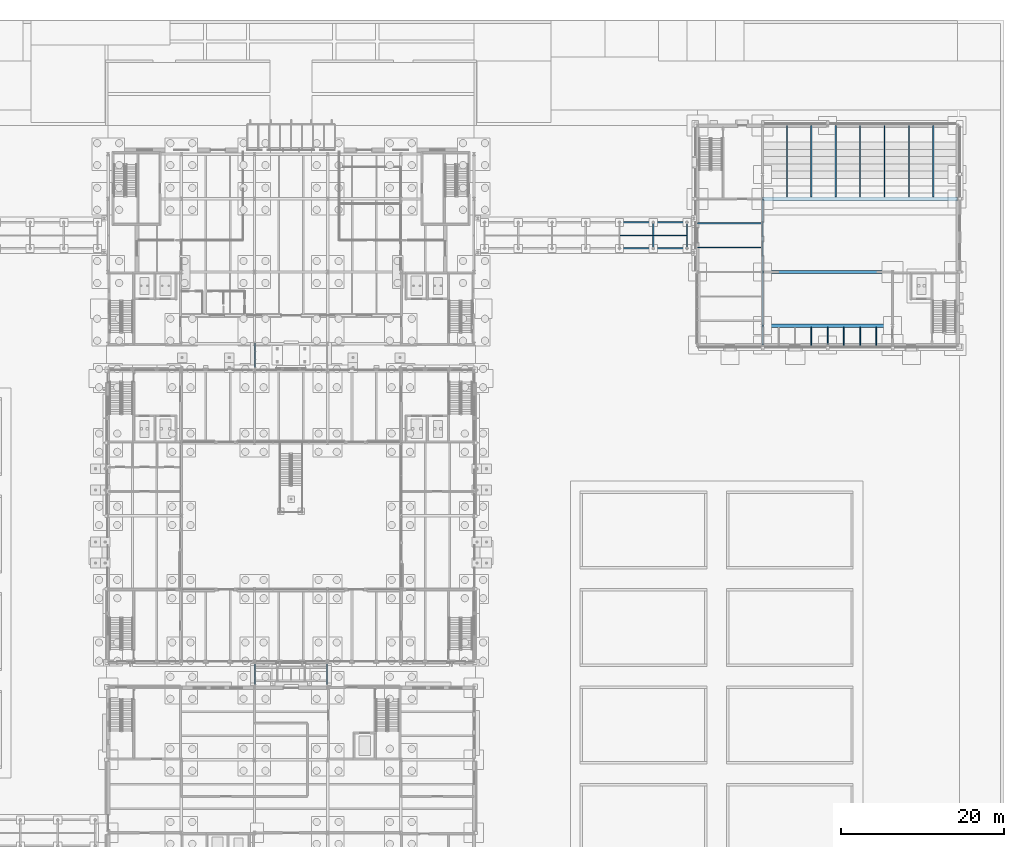
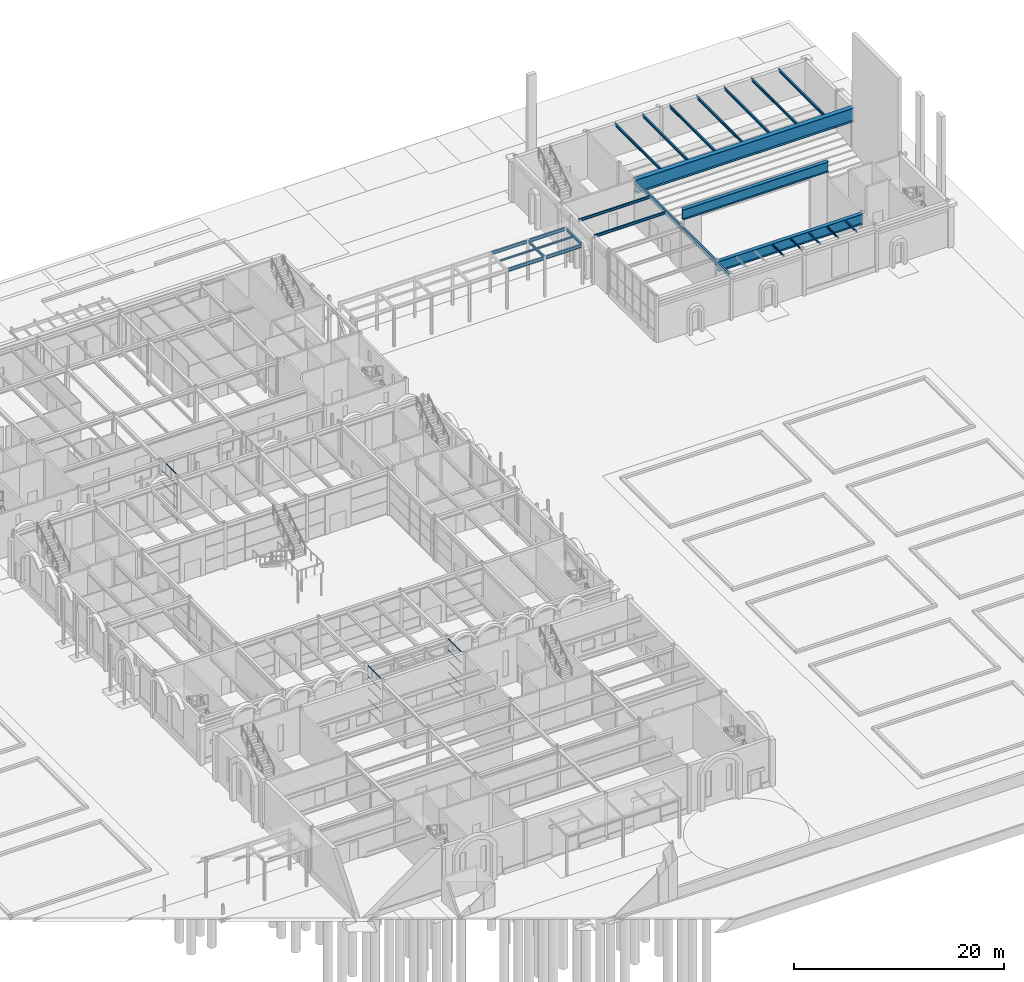
# One storey, part 56 of 126: 44 members, 27 beams, 3 elements without a shape of their own.
"""IFC4 building model written with IfcOpenShell, lengths in metres."""

from ifc_helpers import new_model, si_unit, direction, frame, origin, origin_2d, place, context, subcontext, project, spatial, hollow_rectangle, i_section, extrude, material, material_profile, profile_set, type_object, element, aggregate, save


model = new_model("IFC4")

# Units and contexts
model_context = context("Model", 3, precision=1e-05, world=origin(), true_north=direction((0.0, 1.0)))
body_context = subcontext(model_context, "Body", "Model", "MODEL_VIEW")
ifc_project = project(units=[si_unit("LENGTHUNIT", "METRE"), si_unit("AREAUNIT", "SQUARE_METRE"), si_unit("VOLUMEUNIT", "CUBIC_METRE"), si_unit("PLANEANGLEUNIT", "RADIAN"), si_unit("MASSUNIT", "GRAM", prefix="KILO")], contexts=[model_context])

# Site, building, storey
site_placement = place(None, origin())
site = spatial("IfcSite", under=ifc_project, at=site_placement, CompositionType="ELEMENT")
building_placement = place(site_placement, origin())
building = spatial("IfcBuilding", under=site, at=building_placement, Name="Kallimachos Central Library", CompositionType="ELEMENT")
storey_placement = place(building_placement, origin())
storey = spatial("IfcBuildingStorey", under=building, at=storey_placement, Name="L00", CompositionType="ELEMENT", Elevation=0.0)

# Curtain wall, members
ifc_material_1 = material(Name="Aluminium and laminated glass", Category="aluminium")
curtain_wall_type = type_object("IfcCurtainWallType", Name="Link glazed wall", PredefinedType="NOTDEFINED", material=ifc_material_1)
curtain_wall_1_placement = place(storey_placement, origin())
curtain_wall_1 = element("IfcCurtainWall", 1, at=curtain_wall_1_placement, inside=storey, type_object=curtain_wall_type, Name="Stacks Link glazed wall L00", PredefinedType="NOTDEFINED")
ifc_material_2 = material(Name="Anodised aluminium", Category="aluminium")
ifc_material_profile_1 = material_profile(ifc_material_2, hollow_rectangle(XDim=0.06005859375, YDim=0.080078125, WallThickness=0.00390625, at=origin_2d()), Name="ALU TRANSOM 60x80")
ifc_profile_set_1 = profile_set([ifc_material_profile_1], Name="Anodised aluminium")
member_type = type_object("IfcMemberType", Name="ALU TRANSOM 60x80 transom", PredefinedType="USERDEFINED", material=ifc_profile_set_1)
member_1_placement = place(storey_placement, frame((83.580078125, 45.260009765625, 0.030029296875), z_axis=(0.0, 1.0, 0.0), x_axis=(0.0, 0.0, 1.0)))
member_1 = element("IfcMember", 2, at=member_1_placement, type_object=member_type, Name="CW58 transom 1.1", ObjectType="TRANSOM", PredefinedType="USERDEFINED", context=body_context, shape_type="SweptSolid", body=[
    extrude(hollow_rectangle(XDim=0.06005859375, YDim=0.080078125, WallThickness=0.00390625, at=origin_2d()), origin(), (0.0, 0.0, 1.0), 0.776611328125),
])
member_2_placement = place(storey_placement, frame((83.580078125, 45.260009765625, 1.3125), z_axis=(0.0, 1.0, 0.0), x_axis=(0.0, 0.0, 1.0)))
member_2 = element("IfcMember", 3, at=member_2_placement, type_object=member_type, Name="CW58 transom 1.2", ObjectType="TRANSOM", PredefinedType="USERDEFINED", context=body_context, shape_type="SweptSolid", body=[
    extrude(hollow_rectangle(XDim=0.06005859375, YDim=0.080078125, WallThickness=0.00390625, at=origin_2d()), origin(), (0.0, 0.0, 1.0), 0.776611328125),
])
member_3_placement = place(storey_placement, frame((83.580078125, 45.260009765625, 2.625), z_axis=(0.0, 1.0, 0.0), x_axis=(0.0, 0.0, 1.0)))
member_3 = element("IfcMember", 4, at=member_3_placement, type_object=member_type, Name="CW58 transom 1.3", ObjectType="TRANSOM", PredefinedType="USERDEFINED", context=body_context, shape_type="SweptSolid", body=[
    extrude(hollow_rectangle(XDim=0.06005859375, YDim=0.080078125, WallThickness=0.00390625, at=origin_2d()), origin(), (0.0, 0.0, 1.0), 0.776611328125),
])
member_4_placement = place(storey_placement, frame((83.580078125, 45.260009765625, 3.9375), z_axis=(0.0, 1.0, 0.0), x_axis=(0.0, 0.0, 1.0)))
member_4 = element("IfcMember", 5, at=member_4_placement, type_object=member_type, Name="CW58 transom 1.4", ObjectType="TRANSOM", PredefinedType="USERDEFINED", context=body_context, shape_type="SweptSolid", body=[
    extrude(hollow_rectangle(XDim=0.06005859375, YDim=0.080078125, WallThickness=0.00390625, at=origin_2d()), origin(), (0.0, 0.0, 1.0), 0.776611328125),
])
member_5_placement = place(storey_placement, frame((83.580078125, 45.260009765625, 5.219970703125), z_axis=(0.0, 1.0, 0.0), x_axis=(0.0, 0.0, 1.0)))
member_5 = element("IfcMember", 6, at=member_5_placement, type_object=member_type, Name="CW58 transom 1.5", ObjectType="TRANSOM", PredefinedType="USERDEFINED", context=body_context, shape_type="SweptSolid", body=[
    extrude(hollow_rectangle(XDim=0.06005859375, YDim=0.080078125, WallThickness=0.00390625, at=origin_2d()), origin(), (0.0, 0.0, 1.0), 0.776611328125),
])
member_6_placement = place(storey_placement, frame((83.580078125, 46.0966796875, 0.030029296875), z_axis=(0.0, 1.0, 0.0), x_axis=(0.0, 0.0, 1.0)))
member_6 = element("IfcMember", 7, at=member_6_placement, type_object=member_type, Name="CW58 transom 2.1", ObjectType="TRANSOM", PredefinedType="USERDEFINED", context=body_context, shape_type="SweptSolid", body=[
    extrude(hollow_rectangle(XDim=0.06005859375, YDim=0.080078125, WallThickness=0.00390625, at=origin_2d()), origin(), (0.0, 0.0, 1.0), 0.806640625),
])
member_7_placement = place(storey_placement, frame((83.580078125, 46.0966796875, 1.3125), z_axis=(0.0, 1.0, 0.0), x_axis=(0.0, 0.0, 1.0)))
member_7 = element("IfcMember", 8, at=member_7_placement, type_object=member_type, Name="CW58 transom 2.2", ObjectType="TRANSOM", PredefinedType="USERDEFINED", context=body_context, shape_type="SweptSolid", body=[
    extrude(hollow_rectangle(XDim=0.06005859375, YDim=0.080078125, WallThickness=0.00390625, at=origin_2d()), origin(), (0.0, 0.0, 1.0), 0.806640625),
])
member_8_placement = place(storey_placement, frame((83.580078125, 46.0966796875, 2.625), z_axis=(0.0, 1.0, 0.0), x_axis=(0.0, 0.0, 1.0)))
member_8 = element("IfcMember", 9, at=member_8_placement, type_object=member_type, Name="CW58 transom 2.3", ObjectType="TRANSOM", PredefinedType="USERDEFINED", context=body_context, shape_type="SweptSolid", body=[
    extrude(hollow_rectangle(XDim=0.06005859375, YDim=0.080078125, WallThickness=0.00390625, at=origin_2d()), origin(), (0.0, 0.0, 1.0), 0.806640625),
])
member_9_placement = place(storey_placement, frame((83.580078125, 46.0966796875, 3.9375), z_axis=(0.0, 1.0, 0.0), x_axis=(0.0, 0.0, 1.0)))
member_9 = element("IfcMember", 10, at=member_9_placement, type_object=member_type, Name="CW58 transom 2.4", ObjectType="TRANSOM", PredefinedType="USERDEFINED", context=body_context, shape_type="SweptSolid", body=[
    extrude(hollow_rectangle(XDim=0.06005859375, YDim=0.080078125, WallThickness=0.00390625, at=origin_2d()), origin(), (0.0, 0.0, 1.0), 0.806640625),
])
member_10_placement = place(storey_placement, frame((83.580078125, 46.0966796875, 5.219970703125), z_axis=(0.0, 1.0, 0.0), x_axis=(0.0, 0.0, 1.0)))
member_10 = element("IfcMember", 11, at=member_10_placement, type_object=member_type, Name="CW58 transom 2.5", ObjectType="TRANSOM", PredefinedType="USERDEFINED", context=body_context, shape_type="SweptSolid", body=[
    extrude(hollow_rectangle(XDim=0.06005859375, YDim=0.080078125, WallThickness=0.00390625, at=origin_2d()), origin(), (0.0, 0.0, 1.0), 0.806640625),
])
member_11_placement = place(storey_placement, frame((83.580078125, 46.96337890625, 0.030029296875), z_axis=(0.0, 1.0, 0.0), x_axis=(0.0, 0.0, 1.0)))
member_11 = element("IfcMember", 12, at=member_11_placement, type_object=member_type, Name="CW58 transom 3.1", ObjectType="TRANSOM", PredefinedType="USERDEFINED", context=body_context, shape_type="SweptSolid", body=[
    extrude(hollow_rectangle(XDim=0.06005859375, YDim=0.080078125, WallThickness=0.00390625, at=origin_2d()), origin(), (0.0, 0.0, 1.0), 0.776611328125),
])
member_12_placement = place(storey_placement, frame((83.580078125, 46.96337890625, 1.3125), z_axis=(0.0, 1.0, 0.0), x_axis=(0.0, 0.0, 1.0)))
member_12 = element("IfcMember", 13, at=member_12_placement, type_object=member_type, Name="CW58 transom 3.2", ObjectType="TRANSOM", PredefinedType="USERDEFINED", context=body_context, shape_type="SweptSolid", body=[
    extrude(hollow_rectangle(XDim=0.06005859375, YDim=0.080078125, WallThickness=0.00390625, at=origin_2d()), origin(), (0.0, 0.0, 1.0), 0.776611328125),
])
member_13_placement = place(storey_placement, frame((83.580078125, 46.96337890625, 2.625), z_axis=(0.0, 1.0, 0.0), x_axis=(0.0, 0.0, 1.0)))
member_13 = element("IfcMember", 14, at=member_13_placement, type_object=member_type, Name="CW58 transom 3.3", ObjectType="TRANSOM", PredefinedType="USERDEFINED", context=body_context, shape_type="SweptSolid", body=[
    extrude(hollow_rectangle(XDim=0.06005859375, YDim=0.080078125, WallThickness=0.00390625, at=origin_2d()), origin(), (0.0, 0.0, 1.0), 0.776611328125),
])
member_14_placement = place(storey_placement, frame((83.580078125, 46.96337890625, 3.9375), z_axis=(0.0, 1.0, 0.0), x_axis=(0.0, 0.0, 1.0)))
member_14 = element("IfcMember", 15, at=member_14_placement, type_object=member_type, Name="CW58 transom 3.4", ObjectType="TRANSOM", PredefinedType="USERDEFINED", context=body_context, shape_type="SweptSolid", body=[
    extrude(hollow_rectangle(XDim=0.06005859375, YDim=0.080078125, WallThickness=0.00390625, at=origin_2d()), origin(), (0.0, 0.0, 1.0), 0.776611328125),
])
member_15_placement = place(storey_placement, frame((83.580078125, 46.96337890625, 5.219970703125), z_axis=(0.0, 1.0, 0.0), x_axis=(0.0, 0.0, 1.0)))
member_15 = element("IfcMember", 16, at=member_15_placement, type_object=member_type, Name="CW58 transom 3.5", ObjectType="TRANSOM", PredefinedType="USERDEFINED", context=body_context, shape_type="SweptSolid", body=[
    extrude(hollow_rectangle(XDim=0.06005859375, YDim=0.080078125, WallThickness=0.00390625, at=origin_2d()), origin(), (0.0, 0.0, 1.0), 0.776611328125),
])
aggregate(curtain_wall_1, [member_1, member_2, member_3, member_4, member_5, member_6, member_7, member_8, member_9, member_10, member_11, member_12, member_13, member_14, member_15])

curtain_wall_2_placement = place(storey_placement, origin())
curtain_wall_2 = element("IfcCurtainWall", 17, at=curtain_wall_2_placement, inside=storey, type_object=curtain_wall_type, Name="Stacks Link glazed wall L00", PredefinedType="NOTDEFINED")
member_16_placement = place(storey_placement, frame((92.419921875, 45.260009765625, 0.030029296875), z_axis=(0.0, 1.0, 0.0), x_axis=(0.0, 0.0, 1.0)))
member_16 = element("IfcMember", 18, at=member_16_placement, type_object=member_type, Name="CW59 transom 1.1", ObjectType="TRANSOM", PredefinedType="USERDEFINED", context=body_context, shape_type="SweptSolid", body=[
    extrude(hollow_rectangle(XDim=0.06005859375, YDim=0.080078125, WallThickness=0.00390625, at=origin_2d()), origin(), (0.0, 0.0, 1.0), 0.776611328125),
])
member_17_placement = place(storey_placement, frame((92.419921875, 45.260009765625, 1.3125), z_axis=(0.0, 1.0, 0.0), x_axis=(0.0, 0.0, 1.0)))
member_17 = element("IfcMember", 19, at=member_17_placement, type_object=member_type, Name="CW59 transom 1.2", ObjectType="TRANSOM", PredefinedType="USERDEFINED", context=body_context, shape_type="SweptSolid", body=[
    extrude(hollow_rectangle(XDim=0.06005859375, YDim=0.080078125, WallThickness=0.00390625, at=origin_2d()), origin(), (0.0, 0.0, 1.0), 0.776611328125),
])
member_18_placement = place(storey_placement, frame((92.419921875, 45.260009765625, 2.625), z_axis=(0.0, 1.0, 0.0), x_axis=(0.0, 0.0, 1.0)))
member_18 = element("IfcMember", 20, at=member_18_placement, type_object=member_type, Name="CW59 transom 1.3", ObjectType="TRANSOM", PredefinedType="USERDEFINED", context=body_context, shape_type="SweptSolid", body=[
    extrude(hollow_rectangle(XDim=0.06005859375, YDim=0.080078125, WallThickness=0.00390625, at=origin_2d()), origin(), (0.0, 0.0, 1.0), 0.776611328125),
])
member_19_placement = place(storey_placement, frame((92.419921875, 45.260009765625, 3.9375), z_axis=(0.0, 1.0, 0.0), x_axis=(0.0, 0.0, 1.0)))
member_19 = element("IfcMember", 21, at=member_19_placement, type_object=member_type, Name="CW59 transom 1.4", ObjectType="TRANSOM", PredefinedType="USERDEFINED", context=body_context, shape_type="SweptSolid", body=[
    extrude(hollow_rectangle(XDim=0.06005859375, YDim=0.080078125, WallThickness=0.00390625, at=origin_2d()), origin(), (0.0, 0.0, 1.0), 0.776611328125),
])
member_20_placement = place(storey_placement, frame((92.419921875, 45.260009765625, 5.219970703125), z_axis=(0.0, 1.0, 0.0), x_axis=(0.0, 0.0, 1.0)))
member_20 = element("IfcMember", 22, at=member_20_placement, type_object=member_type, Name="CW59 transom 1.5", ObjectType="TRANSOM", PredefinedType="USERDEFINED", context=body_context, shape_type="SweptSolid", body=[
    extrude(hollow_rectangle(XDim=0.06005859375, YDim=0.080078125, WallThickness=0.00390625, at=origin_2d()), origin(), (0.0, 0.0, 1.0), 0.776611328125),
])
member_21_placement = place(storey_placement, frame((92.419921875, 46.0966796875, 0.030029296875), z_axis=(0.0, 1.0, 0.0), x_axis=(0.0, 0.0, 1.0)))
member_21 = element("IfcMember", 23, at=member_21_placement, type_object=member_type, Name="CW59 transom 2.1", ObjectType="TRANSOM", PredefinedType="USERDEFINED", context=body_context, shape_type="SweptSolid", body=[
    extrude(hollow_rectangle(XDim=0.06005859375, YDim=0.080078125, WallThickness=0.00390625, at=origin_2d()), origin(), (0.0, 0.0, 1.0), 0.806640625),
])
member_22_placement = place(storey_placement, frame((92.419921875, 46.0966796875, 1.3125), z_axis=(0.0, 1.0, 0.0), x_axis=(0.0, 0.0, 1.0)))
member_22 = element("IfcMember", 24, at=member_22_placement, type_object=member_type, Name="CW59 transom 2.2", ObjectType="TRANSOM", PredefinedType="USERDEFINED", context=body_context, shape_type="SweptSolid", body=[
    extrude(hollow_rectangle(XDim=0.06005859375, YDim=0.080078125, WallThickness=0.00390625, at=origin_2d()), origin(), (0.0, 0.0, 1.0), 0.806640625),
])
member_23_placement = place(storey_placement, frame((92.419921875, 46.0966796875, 2.625), z_axis=(0.0, 1.0, 0.0), x_axis=(0.0, 0.0, 1.0)))
member_23 = element("IfcMember", 25, at=member_23_placement, type_object=member_type, Name="CW59 transom 2.3", ObjectType="TRANSOM", PredefinedType="USERDEFINED", context=body_context, shape_type="SweptSolid", body=[
    extrude(hollow_rectangle(XDim=0.06005859375, YDim=0.080078125, WallThickness=0.00390625, at=origin_2d()), origin(), (0.0, 0.0, 1.0), 0.806640625),
])
member_24_placement = place(storey_placement, frame((92.419921875, 46.0966796875, 3.9375), z_axis=(0.0, 1.0, 0.0), x_axis=(0.0, 0.0, 1.0)))
member_24 = element("IfcMember", 26, at=member_24_placement, type_object=member_type, Name="CW59 transom 2.4", ObjectType="TRANSOM", PredefinedType="USERDEFINED", context=body_context, shape_type="SweptSolid", body=[
    extrude(hollow_rectangle(XDim=0.06005859375, YDim=0.080078125, WallThickness=0.00390625, at=origin_2d()), origin(), (0.0, 0.0, 1.0), 0.806640625),
])
member_25_placement = place(storey_placement, frame((92.419921875, 46.0966796875, 5.219970703125), z_axis=(0.0, 1.0, 0.0), x_axis=(0.0, 0.0, 1.0)))
member_25 = element("IfcMember", 27, at=member_25_placement, type_object=member_type, Name="CW59 transom 2.5", ObjectType="TRANSOM", PredefinedType="USERDEFINED", context=body_context, shape_type="SweptSolid", body=[
    extrude(hollow_rectangle(XDim=0.06005859375, YDim=0.080078125, WallThickness=0.00390625, at=origin_2d()), origin(), (0.0, 0.0, 1.0), 0.806640625),
])
member_26_placement = place(storey_placement, frame((92.419921875, 46.96337890625, 0.030029296875), z_axis=(0.0, 1.0, 0.0), x_axis=(0.0, 0.0, 1.0)))
member_26 = element("IfcMember", 28, at=member_26_placement, type_object=member_type, Name="CW59 transom 3.1", ObjectType="TRANSOM", PredefinedType="USERDEFINED", context=body_context, shape_type="SweptSolid", body=[
    extrude(hollow_rectangle(XDim=0.06005859375, YDim=0.080078125, WallThickness=0.00390625, at=origin_2d()), origin(), (0.0, 0.0, 1.0), 0.776611328125),
])
member_27_placement = place(storey_placement, frame((92.419921875, 46.96337890625, 1.3125), z_axis=(0.0, 1.0, 0.0), x_axis=(0.0, 0.0, 1.0)))
member_27 = element("IfcMember", 29, at=member_27_placement, type_object=member_type, Name="CW59 transom 3.2", ObjectType="TRANSOM", PredefinedType="USERDEFINED", context=body_context, shape_type="SweptSolid", body=[
    extrude(hollow_rectangle(XDim=0.06005859375, YDim=0.080078125, WallThickness=0.00390625, at=origin_2d()), origin(), (0.0, 0.0, 1.0), 0.776611328125),
])
member_28_placement = place(storey_placement, frame((92.419921875, 46.96337890625, 2.625), z_axis=(0.0, 1.0, 0.0), x_axis=(0.0, 0.0, 1.0)))
member_28 = element("IfcMember", 30, at=member_28_placement, type_object=member_type, Name="CW59 transom 3.3", ObjectType="TRANSOM", PredefinedType="USERDEFINED", context=body_context, shape_type="SweptSolid", body=[
    extrude(hollow_rectangle(XDim=0.06005859375, YDim=0.080078125, WallThickness=0.00390625, at=origin_2d()), origin(), (0.0, 0.0, 1.0), 0.776611328125),
])
member_29_placement = place(storey_placement, frame((92.419921875, 46.96337890625, 3.9375), z_axis=(0.0, 1.0, 0.0), x_axis=(0.0, 0.0, 1.0)))
member_29 = element("IfcMember", 31, at=member_29_placement, type_object=member_type, Name="CW59 transom 3.4", ObjectType="TRANSOM", PredefinedType="USERDEFINED", context=body_context, shape_type="SweptSolid", body=[
    extrude(hollow_rectangle(XDim=0.06005859375, YDim=0.080078125, WallThickness=0.00390625, at=origin_2d()), origin(), (0.0, 0.0, 1.0), 0.776611328125),
])
member_30_placement = place(storey_placement, frame((92.419921875, 46.96337890625, 5.219970703125), z_axis=(0.0, 1.0, 0.0), x_axis=(0.0, 0.0, 1.0)))
member_30 = element("IfcMember", 32, at=member_30_placement, type_object=member_type, Name="CW59 transom 3.5", ObjectType="TRANSOM", PredefinedType="USERDEFINED", context=body_context, shape_type="SweptSolid", body=[
    extrude(hollow_rectangle(XDim=0.06005859375, YDim=0.080078125, WallThickness=0.00390625, at=origin_2d()), origin(), (0.0, 0.0, 1.0), 0.776611328125),
])
aggregate(curtain_wall_2, [member_16, member_17, member_18, member_19, member_20, member_21, member_22, member_23, member_24, member_25, member_26, member_27, member_28, member_29, member_30])

curtain_wall_3_placement = place(storey_placement, origin())
curtain_wall_3 = element("IfcCurtainWall", 33, at=curtain_wall_3_placement, inside=storey, type_object=curtain_wall_type, Name="Reading Link glazed wall L00", PredefinedType="NOTDEFINED")
member_31_placement = place(storey_placement, frame((83.580078125, 84.260009765625, 0.030029296875), z_axis=(0.0, 1.0, 0.0), x_axis=(0.0, 0.0, 1.0)))
member_31 = element("IfcMember", 34, at=member_31_placement, type_object=member_type, Name="CW62 transom 1.1", ObjectType="TRANSOM", PredefinedType="USERDEFINED", context=body_context, shape_type="SweptSolid", body=[
    extrude(hollow_rectangle(XDim=0.06005859375, YDim=0.080078125, WallThickness=0.00390625, at=origin_2d()), origin(), (0.0, 0.0, 1.0), 0.93505859375),
])
member_32_placement = place(storey_placement, frame((83.580078125, 84.260009765625, 1.35009765625), z_axis=(0.0, 1.0, 0.0), x_axis=(0.0, 0.0, 1.0)))
member_32 = element("IfcMember", 35, at=member_32_placement, type_object=member_type, Name="CW62 transom 1.2", ObjectType="TRANSOM", PredefinedType="USERDEFINED", context=body_context, shape_type="SweptSolid", body=[
    extrude(hollow_rectangle(XDim=0.06005859375, YDim=0.080078125, WallThickness=0.00390625, at=origin_2d()), origin(), (0.0, 0.0, 1.0), 0.93505859375),
])
member_33_placement = place(storey_placement, frame((83.580078125, 84.260009765625, 2.699951171875), z_axis=(0.0, 1.0, 0.0), x_axis=(0.0, 0.0, 1.0)))
member_33 = element("IfcMember", 36, at=member_33_placement, type_object=member_type, Name="CW62 transom 1.3", ObjectType="TRANSOM", PredefinedType="USERDEFINED", context=body_context, shape_type="SweptSolid", body=[
    extrude(hollow_rectangle(XDim=0.06005859375, YDim=0.080078125, WallThickness=0.00390625, at=origin_2d()), origin(), (0.0, 0.0, 1.0), 0.93505859375),
])
member_34_placement = place(storey_placement, frame((83.580078125, 84.260009765625, 4.050048828125), z_axis=(0.0, 1.0, 0.0), x_axis=(0.0, 0.0, 1.0)))
member_34 = element("IfcMember", 37, at=member_34_placement, type_object=member_type, Name="CW62 transom 1.4", ObjectType="TRANSOM", PredefinedType="USERDEFINED", context=body_context, shape_type="SweptSolid", body=[
    extrude(hollow_rectangle(XDim=0.06005859375, YDim=0.080078125, WallThickness=0.00390625, at=origin_2d()), origin(), (0.0, 0.0, 1.0), 0.93505859375),
])
member_35_placement = place(storey_placement, frame((83.580078125, 84.260009765625, 5.3701171875), z_axis=(0.0, 1.0, 0.0), x_axis=(0.0, 0.0, 1.0)))
member_35 = element("IfcMember", 38, at=member_35_placement, type_object=member_type, Name="CW62 transom 1.5", ObjectType="TRANSOM", PredefinedType="USERDEFINED", context=body_context, shape_type="SweptSolid", body=[
    extrude(hollow_rectangle(XDim=0.06005859375, YDim=0.080078125, WallThickness=0.00390625, at=origin_2d()), origin(), (0.0, 0.0, 1.0), 0.93505859375),
])
member_36_placement = place(storey_placement, frame((83.580078125, 85.2548828125, 0.030029296875), z_axis=(0.0, 1.0, 0.0), x_axis=(0.0, 0.0, 1.0)))
member_36 = element("IfcMember", 39, at=member_36_placement, type_object=member_type, Name="CW62 transom 2.1", ObjectType="TRANSOM", PredefinedType="USERDEFINED", context=body_context, shape_type="SweptSolid", body=[
    extrude(hollow_rectangle(XDim=0.06005859375, YDim=0.080078125, WallThickness=0.00390625, at=origin_2d()), origin(), (0.0, 0.0, 1.0), 0.965087890625),
])
member_37_placement = place(storey_placement, frame((83.580078125, 85.2548828125, 1.35009765625), z_axis=(0.0, 1.0, 0.0), x_axis=(0.0, 0.0, 1.0)))
member_37 = element("IfcMember", 40, at=member_37_placement, type_object=member_type, Name="CW62 transom 2.2", ObjectType="TRANSOM", PredefinedType="USERDEFINED", context=body_context, shape_type="SweptSolid", body=[
    extrude(hollow_rectangle(XDim=0.06005859375, YDim=0.080078125, WallThickness=0.00390625, at=origin_2d()), origin(), (0.0, 0.0, 1.0), 0.965087890625),
])
member_38_placement = place(storey_placement, frame((83.580078125, 85.2548828125, 2.699951171875), z_axis=(0.0, 1.0, 0.0), x_axis=(0.0, 0.0, 1.0)))
member_38 = element("IfcMember", 41, at=member_38_placement, type_object=member_type, Name="CW62 transom 2.3", ObjectType="TRANSOM", PredefinedType="USERDEFINED", context=body_context, shape_type="SweptSolid", body=[
    extrude(hollow_rectangle(XDim=0.06005859375, YDim=0.080078125, WallThickness=0.00390625, at=origin_2d()), origin(), (0.0, 0.0, 1.0), 0.965087890625),
])
member_39_placement = place(storey_placement, frame((83.580078125, 85.2548828125, 4.050048828125), z_axis=(0.0, 1.0, 0.0), x_axis=(0.0, 0.0, 1.0)))
member_39 = element("IfcMember", 42, at=member_39_placement, type_object=member_type, Name="CW62 transom 2.4", ObjectType="TRANSOM", PredefinedType="USERDEFINED", context=body_context, shape_type="SweptSolid", body=[
    extrude(hollow_rectangle(XDim=0.06005859375, YDim=0.080078125, WallThickness=0.00390625, at=origin_2d()), origin(), (0.0, 0.0, 1.0), 0.965087890625),
])
member_40_placement = place(storey_placement, frame((83.580078125, 85.2548828125, 5.3701171875), z_axis=(0.0, 1.0, 0.0), x_axis=(0.0, 0.0, 1.0)))
member_40 = element("IfcMember", 43, at=member_40_placement, type_object=member_type, Name="CW62 transom 2.5", ObjectType="TRANSOM", PredefinedType="USERDEFINED", context=body_context, shape_type="SweptSolid", body=[
    extrude(hollow_rectangle(XDim=0.06005859375, YDim=0.080078125, WallThickness=0.00390625, at=origin_2d()), origin(), (0.0, 0.0, 1.0), 0.965087890625),
])
member_41_placement = place(storey_placement, frame((83.580078125, 86.280029296875, 0.030029296875), z_axis=(0.0, 1.0, 0.0), x_axis=(0.0, 0.0, 1.0)))
member_41 = element("IfcMember", 44, at=member_41_placement, type_object=member_type, Name="CW62 transom 3.1", ObjectType="TRANSOM", PredefinedType="USERDEFINED", context=body_context, shape_type="SweptSolid", body=[
    extrude(hollow_rectangle(XDim=0.06005859375, YDim=0.080078125, WallThickness=0.00390625, at=origin_2d()), origin(), (0.0, 0.0, 1.0), 0.93505859375),
])
member_42_placement = place(storey_placement, frame((83.580078125, 86.280029296875, 1.35009765625), z_axis=(0.0, 1.0, 0.0), x_axis=(0.0, 0.0, 1.0)))
member_42 = element("IfcMember", 45, at=member_42_placement, type_object=member_type, Name="CW62 transom 3.2", ObjectType="TRANSOM", PredefinedType="USERDEFINED", context=body_context, shape_type="SweptSolid", body=[
    extrude(hollow_rectangle(XDim=0.06005859375, YDim=0.080078125, WallThickness=0.00390625, at=origin_2d()), origin(), (0.0, 0.0, 1.0), 0.93505859375),
])
member_43_placement = place(storey_placement, frame((83.580078125, 86.280029296875, 2.699951171875), z_axis=(0.0, 1.0, 0.0), x_axis=(0.0, 0.0, 1.0)))
member_43 = element("IfcMember", 46, at=member_43_placement, type_object=member_type, Name="CW62 transom 3.3", ObjectType="TRANSOM", PredefinedType="USERDEFINED", context=body_context, shape_type="SweptSolid", body=[
    extrude(hollow_rectangle(XDim=0.06005859375, YDim=0.080078125, WallThickness=0.00390625, at=origin_2d()), origin(), (0.0, 0.0, 1.0), 0.93505859375),
])
member_44_placement = place(storey_placement, frame((83.580078125, 86.280029296875, 4.050048828125), z_axis=(0.0, 1.0, 0.0), x_axis=(0.0, 0.0, 1.0)))
member_44 = element("IfcMember", 47, at=member_44_placement, type_object=member_type, Name="CW62 transom 3.4", ObjectType="TRANSOM", PredefinedType="USERDEFINED", context=body_context, shape_type="SweptSolid", body=[
    extrude(hollow_rectangle(XDim=0.06005859375, YDim=0.080078125, WallThickness=0.00390625, at=origin_2d()), origin(), (0.0, 0.0, 1.0), 0.93505859375),
])
aggregate(curtain_wall_3, [member_31, member_32, member_33, member_34, member_35, member_36, member_37, member_38, member_39, member_40, member_41, member_42, member_43, member_44])

# Beams
ifc_material_3 = material(Name="Steel S355J2", Category="steel")
ifc_material_profile_2 = material_profile(ifc_material_3, i_section(OverallWidth=0.10009765625, OverallDepth=0.199951171875, WebThickness=0.005615234375, FlangeThickness=0.008544921875, FilletRadius=0.011962890625, at=origin_2d()), Name="IPE 200")
ifc_profile_set_2 = profile_set([ifc_material_profile_2], Name="Steel S355J2")
beam_type_1 = type_object("IfcBeamType", Name="IPE 200 beam", PredefinedType="BEAM", material=ifc_profile_set_2)
for number, where, z_axis, x_axis, name in (
    (48, (152.0, 87.0, 5.050048828125), (0.0, 1.0, 0.0), (-1.0, 0.0, 0.0), "V3-BEM-L00-012"),
    (49, (154.0, 87.0, 5.050048828125), (0.0, 1.0, 0.0), (-1.0, 0.0, 0.0), "V3-BEM-L00-013"),
    (50, (156.0, 87.0, 5.050048828125), (0.0, 1.0, 0.0), (-1.0, 0.0, 0.0), "V3-BEM-L00-014"),
    (51, (158.0, 87.0, 5.050048828125), (0.0, 1.0, 0.0), (-1.0, 0.0, 0.0), "V3-BEM-L00-015"),
    (52, (160.0, 87.0, 5.050048828125), (0.0, 1.0, 0.0), (-1.0, 0.0, 0.0), "V3-BEM-L00-016"),
):
    element("IfcBeam", number, at=place(storey_placement, frame(where, z_axis=z_axis, x_axis=x_axis)), inside=storey, type_object=beam_type_1, Name=name, PredefinedType="BEAM", context=body_context, shape_type="SweptSolid", body=[
        extrude(i_section(OverallWidth=0.10009765625, OverallDepth=0.199951171875, WebThickness=0.005615234375, FlangeThickness=0.008544921875, FilletRadius=0.011962890625, at=origin_2d()), origin(), (0.0, 0.0, 1.0), 2.199951171875),
    ])
for number, where, z_axis, x_axis, name in (
    (53, (128.47509765625, 100.5, 4.550048828125), (1.0, 0.0, 0.0), (0.0, 1.0, 0.0), "links-BEM-L00-058"),
    (54, (132.625, 100.5, 4.550048828125), (1.0, 0.0, 0.0), (0.0, 1.0, 0.0), "links-BEM-L00-059"),
):
    element("IfcBeam", number, at=place(storey_placement, frame(where, z_axis=z_axis, x_axis=x_axis)), inside=storey, type_object=beam_type_1, Name=name, PredefinedType="BEAM", context=body_context, shape_type="SweptSolid", body=[
        extrude(i_section(OverallWidth=0.10009765625, OverallDepth=0.199951171875, WebThickness=0.005615234375, FlangeThickness=0.008544921875, FilletRadius=0.011962890625, at=origin_2d()), origin(), (0.0, 0.0, 1.0), 4.0),
    ])
ifc_material_4 = material(Name="Steel S355J2", Category="steel")
ifc_material_profile_3 = material_profile(ifc_material_4, i_section(OverallWidth=0.14990234375, OverallDepth=0.300048828125, WebThickness=0.007080078125, FlangeThickness=0.0107421875, FilletRadius=0.014892578125, at=origin_2d()), Name="IPE 300")
ifc_profile_set_3 = profile_set([ifc_material_profile_3], Name="Steel S355J2")
beam_type_2 = type_object("IfcBeamType", Name="IPE 300 beam", PredefinedType="BEAM", material=ifc_profile_set_3)
for number, where, z_axis, x_axis, name in (
    (55, (138.0, 99.0, 5.0), (1.0, 0.0, 0.0), (0.0, 1.0, 0.0), "V3-BEM-L00-006"),
    (56, (138.0, 102.0, 5.0), (1.0, 0.0, 0.0), (0.0, 1.0, 0.0), "V3-BEM-L00-007"),
):
    element("IfcBeam", number, at=place(storey_placement, frame(where, z_axis=z_axis, x_axis=x_axis)), inside=storey, type_object=beam_type_2, Name=name, PredefinedType="BEAM", context=body_context, shape_type="SweptSolid", body=[
        extrude(i_section(OverallWidth=0.14990234375, OverallDepth=0.300048828125, WebThickness=0.007080078125, FlangeThickness=0.0107421875, FilletRadius=0.014892578125, at=origin_2d()), origin(), (0.0, 0.0, 1.0), 7.905029296875),
    ])
for number, where, z_axis, x_axis, name in (
    (57, (149.0, 105.25, 5.10009765625), (0.0, 1.0, 0.0), (-1.0, 0.0, 0.0), "V3-BEM-L00-018"),
    (58, (152.0, 105.25, 5.10009765625), (0.0, 1.0, 0.0), (-1.0, 0.0, 0.0), "V3-BEM-L00-019"),
    (59, (155.0, 105.25, 5.10009765625), (0.0, 1.0, 0.0), (-1.0, 0.0, 0.0), "V3-BEM-L00-020"),
    (60, (158.0, 105.25, 5.10009765625), (0.0, 1.0, 0.0), (-1.0, 0.0, 0.0), "V3-BEM-L00-021"),
    (61, (161.0, 105.25, 5.10009765625), (0.0, 1.0, 0.0), (-1.0, 0.0, 0.0), "V3-BEM-L00-022"),
    (62, (164.0, 105.25, 5.10009765625), (0.0, 1.0, 0.0), (-1.0, 0.0, 0.0), "V3-BEM-L00-023"),
    (63, (167.0, 105.25, 5.10009765625), (0.0, 1.0, 0.0), (-1.0, 0.0, 0.0), "V3-BEM-L00-024"),
):
    element("IfcBeam", number, at=place(storey_placement, frame(where, z_axis=z_axis, x_axis=x_axis)), inside=storey, type_object=beam_type_2, Name=name, PredefinedType="BEAM", context=body_context, shape_type="SweptSolid", body=[
        extrude(i_section(OverallWidth=0.14990234375, OverallDepth=0.300048828125, WebThickness=0.007080078125, FlangeThickness=0.0107421875, FilletRadius=0.014892578125, at=origin_2d()), origin(), (0.0, 0.0, 1.0), 8.75),
    ])
for number, where, z_axis, x_axis, name in (
    (64, (132.550048828125, 99.03662109375, 4.5), (0.0, 1.0, 0.0), (-1.0, 0.0, 0.0), "links-BEM-L00-052"),
    (65, (136.699951171875, 99.03662109375, 4.5), (0.0, 1.0, 0.0), (-1.0, 0.0, 0.0), "links-BEM-L00-053"),
):
    element("IfcBeam", number, at=place(storey_placement, frame(where, z_axis=z_axis, x_axis=x_axis)), inside=storey, type_object=beam_type_2, Name=name, PredefinedType="BEAM", context=body_context, shape_type="SweptSolid", body=[
        extrude(i_section(OverallWidth=0.14990234375, OverallDepth=0.300048828125, WebThickness=0.007080078125, FlangeThickness=0.0107421875, FilletRadius=0.014892578125, at=origin_2d()), origin(), (0.0, 0.0, 1.0), 2.9267578125),
    ])
ifc_material_5 = material(Name="Steel S355J2", Category="steel")
ifc_material_profile_4 = material_profile(ifc_material_5, i_section(OverallWidth=0.169921875, OverallDepth=0.360107421875, WebThickness=0.008056640625, FlangeThickness=0.0126953125, FilletRadius=0.01806640625, at=origin_2d()), Name="IPE 360")
ifc_profile_set_4 = profile_set([ifc_material_profile_4], Name="Steel S355J2")
beam_type_3 = type_object("IfcBeamType", Name="IPE 360 beam", PredefinedType="BEAM", material=ifc_profile_set_4)
for number, where, z_axis, x_axis, name in (
    (66, (128.53662109375, 98.89990234375, 4.469970703125), (1.0, 0.0, 0.0), (0.0, 1.0, 0.0), "links-BEM-L00-039"),
    (67, (132.6865234375, 98.89990234375, 4.469970703125), (1.0, 0.0, 0.0), (0.0, 1.0, 0.0), "links-BEM-L00-040"),
    (68, (128.53662109375, 102.10009765625, 4.469970703125), (1.0, 0.0, 0.0), (0.0, 1.0, 0.0), "links-BEM-L00-045"),
    (69, (132.6865234375, 102.10009765625, 4.469970703125), (1.0, 0.0, 0.0), (0.0, 1.0, 0.0), "links-BEM-L00-046"),
):
    element("IfcBeam", number, at=place(storey_placement, frame(where, z_axis=z_axis, x_axis=x_axis)), inside=storey, type_object=beam_type_3, Name=name, PredefinedType="BEAM", context=body_context, shape_type="SweptSolid", body=[
        extrude(i_section(OverallWidth=0.169921875, OverallDepth=0.360107421875, WebThickness=0.008056640625, FlangeThickness=0.0126953125, FilletRadius=0.01806640625, at=origin_2d()), origin(), (0.0, 0.0, 1.0), 3.876953125),
    ])
ifc_material_6 = material(Name="Steel S355J2", Category="steel")
ifc_material_profile_5 = material_profile(ifc_material_6, i_section(OverallWidth=0.18994140625, OverallDepth=0.449951171875, WebThickness=0.009521484375, FlangeThickness=0.0146484375, FilletRadius=0.02099609375, at=origin_2d()), Name="IPE 450")
ifc_profile_set_5 = profile_set([ifc_material_profile_5], Name="Steel S355J2")
beam_type_4 = type_object("IfcBeamType", Name="IPE 450 beam", PredefinedType="BEAM", material=ifc_profile_set_5)
for number, where, z_axis, x_axis, name in (
    (70, (146.0, 87.0, 4.925048828125), (0.0, 1.0, 0.0), (-1.0, 0.0, 0.0), "V3-BEM-L00-001"),
    (71, (146.0, 96.0, 4.925048828125), (0.0, 1.0, 0.0), (-1.0, 0.0, 0.0), "V3-BEM-L00-005"),
):
    element("IfcBeam", number, at=place(storey_placement, frame(where, z_axis=z_axis, x_axis=x_axis)), inside=storey, type_object=beam_type_4, Name=name, PredefinedType="BEAM", context=body_context, shape_type="SweptSolid", body=[
        extrude(i_section(OverallWidth=0.18994140625, OverallDepth=0.449951171875, WebThickness=0.009521484375, FlangeThickness=0.0146484375, FilletRadius=0.02099609375, at=origin_2d()), origin(), (0.0, 0.0, 1.0), 9.0),
    ])
ifc_material_7 = material(Name="Steel S355K2", Category="steel")
ifc_material_profile_6 = material_profile(ifc_material_7, i_section(OverallWidth=0.39990234375, OverallDepth=1.199951171875, WebThickness=0.02001953125, FlangeThickness=0.034912109375, at=origin_2d()), Name="PG 1200x400-20/35")
ifc_profile_set_6 = profile_set([ifc_material_profile_6], Name="Steel S355K2")
beam_type_5 = type_object("IfcBeamType", Name="PG 1200x400-20/35 beam", PredefinedType="BEAM", material=ifc_profile_set_6)
beam_1_placement = place(storey_placement, frame((146.094970703125, 89.39990234375, 4.550048828125), z_axis=(1.0, 0.0, 0.0), x_axis=(0.0, 1.0, 0.0)))
element("IfcBeam", 72, at=beam_1_placement, inside=storey, type_object=beam_type_5, Name="V3-BEM-L00-009", PredefinedType="BEAM", context=body_context, shape_type="SweptSolid", body=[
    extrude(i_section(OverallWidth=0.39990234375, OverallDepth=1.199951171875, WebThickness=0.02001953125, FlangeThickness=0.034912109375, at=origin_2d()), origin(), (0.0, 0.0, 1.0), 15.905029296875),
])
beam_2_placement = place(storey_placement, frame((146.0, 96.0, 6.60009765625), z_axis=(1.0, 0.0, 0.0), x_axis=(0.0, 1.0, 0.0)))
element("IfcBeam", 73, at=beam_2_placement, inside=storey, type_object=beam_type_5, Name="V3-BEM-L00-025", PredefinedType="BEAM", context=body_context, shape_type="SweptSolid", body=[
    extrude(i_section(OverallWidth=0.39990234375, OverallDepth=1.199951171875, WebThickness=0.02001953125, FlangeThickness=0.034912109375, at=origin_2d()), origin(), (0.0, 0.0, 1.0), 16.0),
])
ifc_material_8 = material(Name="Steel S355K2", Category="steel")
ifc_material_profile_7 = material_profile(ifc_material_8, i_section(OverallWidth=0.5, OverallDepth=1.60009765625, WebThickness=0.02490234375, FlangeThickness=0.0400390625, at=origin_2d()), Name="PG 1600x500-25/40")
ifc_profile_set_7 = profile_set([ifc_material_profile_7], Name="Steel S355K2")
beam_type_6 = type_object("IfcBeamType", Name="PG 1600x500-25/40 beam", PredefinedType="BEAM", material=ifc_profile_set_7)
beam_3_placement = place(storey_placement, frame((146.0, 105.0, 4.449951171875), z_axis=(1.0, 0.0, 0.0), x_axis=(0.0, 1.0, 0.0)))
element("IfcBeam", 74, at=beam_3_placement, inside=storey, type_object=beam_type_6, Name="V3-BEM-L00-017", PredefinedType="BEAM", context=body_context, shape_type="SweptSolid", body=[
    extrude(i_section(OverallWidth=0.5, OverallDepth=1.60009765625, WebThickness=0.02490234375, FlangeThickness=0.0400390625, at=origin_2d()), origin(), (0.0, 0.0, 1.0), 24.0),
])

save(model, "model.ifc")
